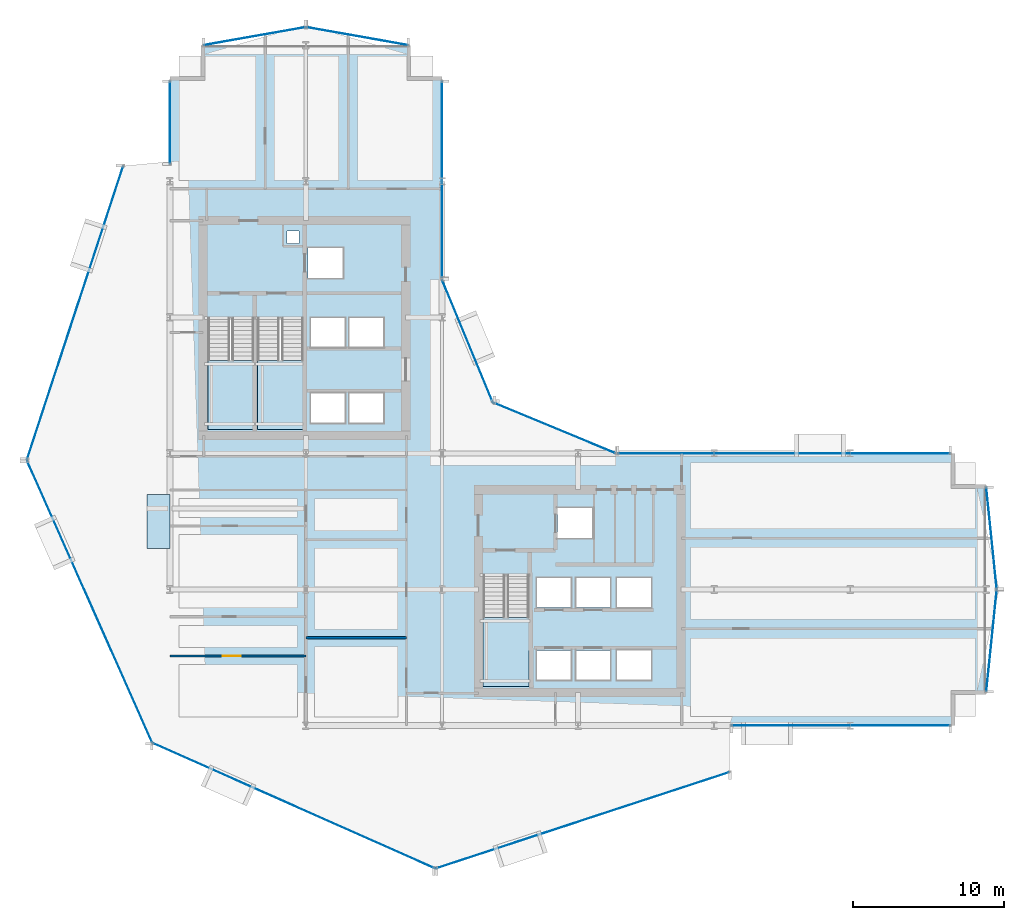
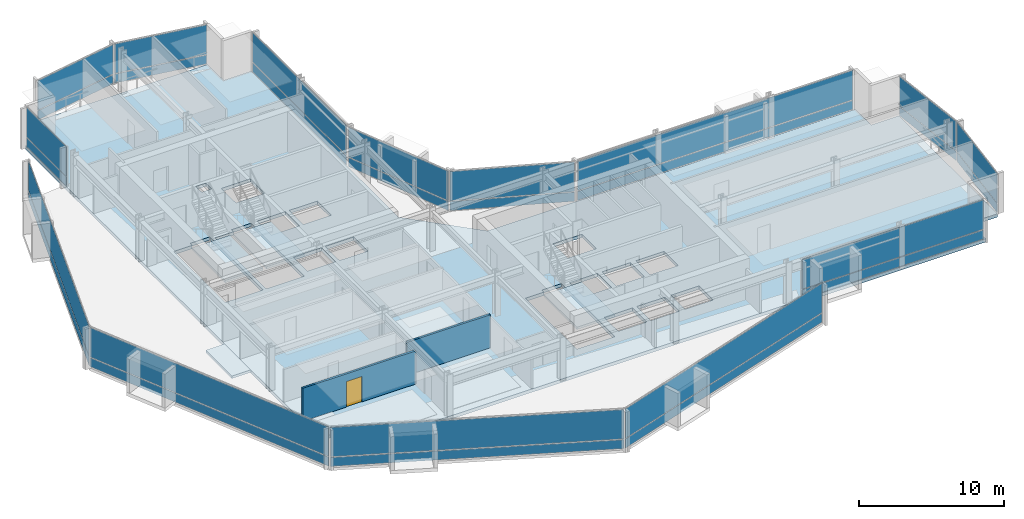
# One storey, part 26 of 34: 28 plates, 5 slabs, 2 walls, 1 door, 1 opening, 17 elements without a shape of their own.
"""IFC4 building model written with IfcOpenShell, lengths in metres."""

import ifcopenshell
import ifcopenshell.guid

model = None  # the IFC model being written
_history = None  # IfcOwnerHistory: only IFC2X3 demands one
_inside = {}  # id of a spatial element -> (the spatial element, [elements in it])
_under = {}  # id of a project, library or spatial element -> (it, [spatial elements below it])
_declared = {}  # id of a project -> (the project, [libraries it declares])
_typed = {}  # id of a type object -> (the type object, [elements of that type])
_made_of = {}  # id of a material, layer set ... -> (it, [elements and type objects made of it])


def new_model(schema):
    """Start an empty IFC model of exactly this schema.

    Asked for "IFC4X3", IfcOpenShell would pick the latest addendum, in which some entities
    have other attributes; the version numbers below select the first issue.
    IFC2X3 requires an IfcOwnerHistory on every rooted entity: one is made here for all.
    """
    global model, _history
    if schema == "IFC4X3":
        model = ifcopenshell.file(schema_version=(4, 3, 0, 0))
    else:
        model = ifcopenshell.file(schema=schema)
    _inside.clear()
    _under.clear()
    _declared.clear()
    _typed.clear()
    _made_of.clear()
    _history = None
    if model.schema == "IFC2X3":
        org = make("IfcOrganization", Name="unknown")
        user = make(
            "IfcPersonAndOrganization",
            ThePerson=make("IfcPerson", FamilyName="unknown"),
            TheOrganization=org,
        )
        app = make(
            "IfcApplication",
            ApplicationDeveloper=org,
            Version="unknown",
            ApplicationFullName="unknown",
            ApplicationIdentifier="unknown",
        )
        _history = make(
            "IfcOwnerHistory",
            OwningUser=user,
            OwningApplication=app,
            ChangeAction="ADDED",
            CreationDate=0,
        )
    return model


def make(cls, **values):
    """One entity of the class cls with the attributes given. An attribute that is None is left unset."""
    return model.create_entity(
        cls, **{name: value for name, value in values.items() if value is not None}
    )


def rooted(cls, **values):
    """An entity with a GlobalId (a new one), such as an element, a storey or a relation."""
    return make(cls, GlobalId=ifcopenshell.guid.new(), OwnerHistory=_history, **values)


def si_unit(unit_type, name, prefix=None):
    """IfcSIUnit, for example si_unit("LENGTHUNIT", "METRE", prefix="MILLI")."""
    return make("IfcSIUnit", UnitType=unit_type, Prefix=prefix, Name=name)


def assignment(units):
    """IfcUnitAssignment: the units of a project."""
    return None if units is None else make("IfcUnitAssignment", Units=units)


def point(xyz):
    """IfcCartesianPoint."""
    return None if xyz is None else make("IfcCartesianPoint", Coordinates=xyz)


def direction(xyz):
    """IfcDirection."""
    return None if xyz is None else make("IfcDirection", DirectionRatios=xyz)


def frame(location, z_axis=None, x_axis=None):
    """IfcAxis2Placement3D, a coordinate frame: its origin and axes. An axis left out is left unset."""
    return make(
        "IfcAxis2Placement3D",
        Location=point(location),
        Axis=direction(z_axis),
        RefDirection=direction(x_axis),
    )


def frame_2d(location, x_axis=None):
    """IfcAxis2Placement2D, a coordinate frame in the plane: its origin and x axis."""
    return make(
        "IfcAxis2Placement2D", Location=point(location), RefDirection=direction(x_axis)
    )


def origin():
    """The frame at (0, 0, 0) with its axes left unset."""
    return frame((0.0, 0.0, 0.0))


def origin_2d():
    """The frame at (0, 0) in the plane with its x axis left unset."""
    return frame_2d((0.0, 0.0))


def place(relative_to, where):
    """IfcLocalPlacement: puts the frame where relative to a parent placement (None: the world)."""
    return make(
        "IfcLocalPlacement", PlacementRelTo=relative_to, RelativePlacement=where
    )


def context(
    kind, dimensions, precision=None, world=None, true_north=None, identifier=None
):
    """IfcGeometricRepresentationContext, for example the 3D "Model" context."""
    return make(
        "IfcGeometricRepresentationContext",
        ContextIdentifier=identifier,
        ContextType=kind,
        CoordinateSpaceDimension=dimensions,
        Precision=precision,
        WorldCoordinateSystem=world,
        TrueNorth=true_north,
    )


def subcontext(parent, identifier, kind, view, scale=None):
    """IfcGeometricRepresentationSubContext, for example "Body" below "Model"."""
    return make(
        "IfcGeometricRepresentationSubContext",
        ContextIdentifier=identifier,
        ContextType=kind,
        ParentContext=parent,
        TargetScale=scale,
        TargetView=view,
    )


def project(units=None, contexts=None):
    """IfcProject with its units and contexts."""
    return rooted(
        "IfcProject",
        Name="project",
        RepresentationContexts=contexts,
        UnitsInContext=assignment(units),
    )


def spatial(cls, under=None, at=None, **own):
    """A site, building, storey or space (cls), placed at a placement, below another one or the project."""
    s = rooted(cls, ObjectPlacement=at, **own)
    if under is not None:
        _under.setdefault(under.id(), (under, []))[1].append(s)
    return s


def polyline(points):
    """IfcPolyline through the points."""
    return make("IfcPolyline", Points=[point(p) for p in points])


def profile(cls, at=None, kind="AREA", **sizes):
    """A parametric profile (cls). Its sizes go by their IFC names, for example OverallWidth=200.0."""
    return make(cls, ProfileType=kind, Position=at, **sizes)


def rectangle(**sizes):
    """IfcRectangleProfileDef."""
    return profile("IfcRectangleProfileDef", **sizes)


def outline(outer, holes=None, kind="AREA"):
    """IfcArbitraryClosedProfileDef: a profile drawn as a closed curve; with holes, ...WithVoids."""
    if holes is None:
        return make("IfcArbitraryClosedProfileDef", ProfileType=kind, OuterCurve=outer)
    return make(
        "IfcArbitraryProfileDefWithVoids",
        ProfileType=kind,
        OuterCurve=outer,
        InnerCurves=holes,
    )


def extrude(swept, where, along, depth):
    """IfcExtrudedAreaSolid: the profile swept, set in the frame where, extruded along a direction by depth."""
    return make(
        "IfcExtrudedAreaSolid",
        SweptArea=swept,
        Position=where,
        ExtrudedDirection=direction(along),
        Depth=depth,
    )


def shape(context_of_items, identifier, shape_type, items):
    """IfcShapeRepresentation: the items that make up one representation, for example the "Body"."""
    return make(
        "IfcShapeRepresentation",
        ContextOfItems=context_of_items,
        RepresentationIdentifier=identifier,
        RepresentationType=shape_type,
        Items=items,
    )


def material(Name=None, Category=None):
    """IfcMaterial."""
    return make("IfcMaterial", Name=Name, Category=Category)


def layer(
    of_material, thickness, ventilated=None, Name=None, Category=None, Priority=None
):
    """IfcMaterialLayer: one layer of a wall or slab, of a material (None: an air gap)."""
    return make(
        "IfcMaterialLayer",
        Material=of_material,
        LayerThickness=thickness,
        IsVentilated=ventilated,
        Name=Name,
        Category=Category,
        Priority=Priority,
    )


def layer_set(layers, Name=None):
    """IfcMaterialLayerSet."""
    return make("IfcMaterialLayerSet", MaterialLayers=layers, LayerSetName=Name)


def made_of(thing, what):
    """Note that an element or type object is made of a material, layer set ...; save() writes the relation."""
    if what is not None:
        _made_of.setdefault(what.id(), (what, []))[1].append(thing)
    return thing


def type_object(cls, material=None, **own):
    """A type object (cls), such as IfcWallType, which elements share."""
    return made_of(rooted(cls, **own), material)


def element(
    cls,
    number,
    at=None,
    inside=None,
    cuts=None,
    type_object=None,
    material=None,
    context=None,
    identifier="Body",
    shape_type=None,
    held_by="IfcProductDefinitionShape",
    body=None,
    shapes=None,
    **own,
):
    """One element of the class cls, such as IfcWall. Its Tag is "e" and its number.

    at: its placement. inside: the storey or other place that contains it. cuts: it is an
    opening in that element (IfcRelVoidsElement). A single representation is given by context,
    identifier, shape_type and body (its items); several are given by shapes. held_by: the class
    of the entity that holds the representations. save() writes the other relations.
    """
    e = rooted(cls, Tag="e%d" % number, ObjectPlacement=at, **own)
    if body is not None:
        shapes = [shape(context, identifier, shape_type, body)]
    if shapes is not None:
        e.Representation = make(held_by, Representations=shapes)
    if inside is not None:
        _inside.setdefault(inside.id(), (inside, []))[1].append(e)
    if cuts is not None:
        rooted(
            "IfcRelVoidsElement", RelatingBuildingElement=cuts, RelatedOpeningElement=e
        )
    if type_object is not None:
        _typed.setdefault(type_object.id(), (type_object, []))[1].append(e)
    return made_of(e, material)


def fill(opening, filler):
    """IfcRelFillsElement: the door or window that sits in an opening."""
    return rooted(
        "IfcRelFillsElement",
        RelatingOpeningElement=opening,
        RelatedBuildingElement=filler,
    )


def aggregate(whole, parts):
    """IfcRelAggregates: a whole, such as a stair, and the parts it consists of."""
    return rooted("IfcRelAggregates", RelatingObject=whole, RelatedObjects=parts)


def save(model, path):
    """Write the relations noted so far, then the file.

    IfcRelAggregates (storeys below a building ...), IfcRelContainedInSpatialStructure (elements
    in a storey), IfcRelDefinesByType, IfcRelAssociatesMaterial and IfcRelDeclares: one each for
    every whole, place, type object, material and project.
    """
    for whole, parts in _under.values():
        aggregate(whole, parts)
    for where, things in _inside.values():
        rooted(
            "IfcRelContainedInSpatialStructure",
            RelatedElements=things,
            RelatingStructure=where,
        )
    for kind, things in _typed.values():
        rooted("IfcRelDefinesByType", RelatedObjects=things, RelatingType=kind)
    for what, things in _made_of.values():
        rooted("IfcRelAssociatesMaterial", RelatedObjects=things, RelatingMaterial=what)
    for by, libraries in _declared.values():
        rooted("IfcRelDeclares", RelatingContext=by, RelatedDefinitions=libraries)
    model.write(path)


model = new_model("IFC4")

# Units and contexts
model_context = context("Model", 3, precision=1e-05, world=origin(), true_north=direction((0.0, 1.0)))
body_context = subcontext(model_context, "Body", "Model", "MODEL_VIEW")
ifc_project = project(units=[si_unit("LENGTHUNIT", "METRE"), si_unit("AREAUNIT", "SQUARE_METRE"), si_unit("VOLUMEUNIT", "CUBIC_METRE"), si_unit("PLANEANGLEUNIT", "RADIAN"), si_unit("MASSUNIT", "GRAM", prefix="KILO")], contexts=[model_context])

# Site, building, storey
site_placement = place(None, origin())
site = spatial("IfcSite", under=ifc_project, at=site_placement, CompositionType="ELEMENT")
building_placement = place(site_placement, origin())
building = spatial("IfcBuilding", under=site, at=building_placement, Name="Solvaryn Broadcast Tower", CompositionType="ELEMENT")
storey_placement = place(building_placement, frame((0.0, 0.0, 39.699951171875)))
storey = spatial("IfcBuildingStorey", under=building, at=storey_placement, Name="L08", CompositionType="ELEMENT", Elevation=39.699951171875)

# Curtain wall, plates
ifc_material_1 = material(Name="Aluminium and Terracotta Unitised Curtain Wall", Category="masonry")
ifc_layer_1 = layer(ifc_material_1, 0.199951171875)
ifc_layer_set_1 = layer_set([ifc_layer_1], Name="CW-SYS2-LOWMID")
curtain_wall_type = type_object("IfcCurtainWallType", Name="CW-SYS2-LOWMID", PredefinedType="NOTDEFINED", material=ifc_layer_set_1)
curtain_wall_1_placement = place(storey_placement, origin())
curtain_wall_1 = element("IfcCurtainWall", 1, at=curtain_wall_1_placement, inside=storey, type_object=curtain_wall_type, Name="L08 Curtain Wall DR1", PredefinedType="NOTDEFINED")
ifc_material_2 = material(Name="Kiln-Fired Architectural Terracotta Spandrel", Category="masonry")
ifc_layer_2 = layer(ifc_material_2, 0.048095703125)
ifc_layer_set_2 = layer_set([ifc_layer_2], Name="CW-PNL-TERRACOTTA")
plate_type = type_object("IfcPlateType", Name="CW-PNL-TERRACOTTA", PredefinedType="CURTAIN_PANEL", material=ifc_layer_set_2)
plate_1_placement = place(storey_placement, frame((2.72607421875, 36.2880859375, 0.06005859375), z_axis=(0.0, 0.0, 1.0), x_axis=(-0.311594044587, -0.950215318429, 0.0)))
plate_1 = element("IfcPlate", 2, at=plate_1_placement, type_object=plate_type, Name="CWS2 panel 1.1", PredefinedType="CURTAIN_PANEL", context=body_context, shape_type="SweptSolid", body=[
    extrude(rectangle(XDim=20.35546875, YDim=0.028076171875, at=origin_2d()), origin(), (0.0, 0.0, 1.0), 0.760009765625),
])
plate_2_placement = place(storey_placement, frame((2.72607421875, 36.2880859375, 0.880126953125), z_axis=(0.0, 0.0, 1.0), x_axis=(-0.311594044587, -0.950215318429, 0.0)))
plate_2 = element("IfcPlate", 3, at=plate_2_placement, type_object=plate_type, Name="CWS2 panel 1.2", PredefinedType="CURTAIN_PANEL", context=body_context, shape_type="SweptSolid", body=[
    extrude(rectangle(XDim=20.35546875, YDim=0.028076171875, at=origin_2d()), origin(), (0.0, 0.0, 1.0), 2.47998046875),
])
aggregate(curtain_wall_1, [plate_1, plate_2])

curtain_wall_2_placement = place(storey_placement, origin())
curtain_wall_2 = element("IfcCurtainWall", 4, at=curtain_wall_2_placement, inside=storey, type_object=curtain_wall_type, Name="L08 Curtain Wall DR2", PredefinedType="NOTDEFINED")
plate_3_placement = place(storey_placement, frame((3.69140625, 17.20361328125, 0.06005859375), z_axis=(0.0, 0.0, 1.0), x_axis=(0.405898286554, -0.913918257271, 0.0)))
plate_3 = element("IfcPlate", 5, at=plate_3_placement, type_object=plate_type, Name="CWS2 panel 1.1", PredefinedType="CURTAIN_PANEL", context=body_context, shape_type="SweptSolid", body=[
    extrude(rectangle(XDim=20.35546875, YDim=0.028076171875, at=origin_2d()), origin(), (0.0, 0.0, 1.0), 0.760009765625),
])
plate_4_placement = place(storey_placement, frame((3.69140625, 17.20361328125, 0.880126953125), z_axis=(0.0, 0.0, 1.0), x_axis=(0.405898286554, -0.913918257271, 0.0)))
plate_4 = element("IfcPlate", 6, at=plate_4_placement, type_object=plate_type, Name="CWS2 panel 1.2", PredefinedType="CURTAIN_PANEL", context=body_context, shape_type="SweptSolid", body=[
    extrude(rectangle(XDim=20.35546875, YDim=0.028076171875, at=origin_2d()), origin(), (0.0, 0.0, 1.0), 2.47998046875),
])
aggregate(curtain_wall_2, [plate_3, plate_4])

curtain_wall_3_placement = place(storey_placement, origin())
curtain_wall_3 = element("IfcCurtainWall", 7, at=curtain_wall_3_placement, inside=storey, type_object=curtain_wall_type, Name="L08 Curtain Wall DR3", PredefinedType="NOTDEFINED")
plate_5_placement = place(storey_placement, frame((17.20361328125, 3.69140625, 0.06005859375), z_axis=(0.0, 0.0, 1.0), x_axis=(0.913918257271, -0.405898286554, 0.0)))
plate_5 = element("IfcPlate", 8, at=plate_5_placement, type_object=plate_type, Name="CWS2 panel 1.1", PredefinedType="CURTAIN_PANEL", context=body_context, shape_type="SweptSolid", body=[
    extrude(rectangle(XDim=20.35546875, YDim=0.028076171875, at=origin_2d()), origin(), (0.0, 0.0, 1.0), 0.760009765625),
])
plate_6_placement = place(storey_placement, frame((17.20361328125, 3.69140625, 0.880126953125), z_axis=(0.0, 0.0, 1.0), x_axis=(0.913918257271, -0.405898286554, 0.0)))
plate_6 = element("IfcPlate", 9, at=plate_6_placement, type_object=plate_type, Name="CWS2 panel 1.2", PredefinedType="CURTAIN_PANEL", context=body_context, shape_type="SweptSolid", body=[
    extrude(rectangle(XDim=20.35546875, YDim=0.028076171875, at=origin_2d()), origin(), (0.0, 0.0, 1.0), 2.47998046875),
])
aggregate(curtain_wall_3, [plate_5, plate_6])

curtain_wall_4_placement = place(storey_placement, origin())
curtain_wall_4 = element("IfcCurtainWall", 10, at=curtain_wall_4_placement, inside=storey, type_object=curtain_wall_type, Name="L08 Curtain Wall DR4", PredefinedType="NOTDEFINED")
plate_7_placement = place(storey_placement, frame((36.2880859375, 2.72607421875, 0.06005859375), z_axis=(0.0, 0.0, 1.0), x_axis=(0.950215318429, 0.311594044587, 0.0)))
plate_7 = element("IfcPlate", 11, at=plate_7_placement, type_object=plate_type, Name="CWS2 panel 1.1", PredefinedType="CURTAIN_PANEL", context=body_context, shape_type="SweptSolid", body=[
    extrude(rectangle(XDim=20.35546875, YDim=0.028076171875, at=origin_2d()), origin(), (0.0, 0.0, 1.0), 0.760009765625),
])
plate_8_placement = place(storey_placement, frame((36.2880859375, 2.72607421875, 0.880126953125), z_axis=(0.0, 0.0, 1.0), x_axis=(0.950215318429, 0.311594044587, 0.0)))
plate_8 = element("IfcPlate", 12, at=plate_8_placement, type_object=plate_type, Name="CWS2 panel 1.2", PredefinedType="CURTAIN_PANEL", context=body_context, shape_type="SweptSolid", body=[
    extrude(rectangle(XDim=20.35546875, YDim=0.028076171875, at=origin_2d()), origin(), (0.0, 0.0, 1.0), 2.47998046875),
])
aggregate(curtain_wall_4, [plate_7, plate_8])

curtain_wall_5_placement = place(storey_placement, origin())
curtain_wall_5 = element("IfcCurtainWall", 13, at=curtain_wall_5_placement, inside=storey, type_object=curtain_wall_type, Name="L08 Curtain Wall W2", PredefinedType="NOTDEFINED")
plate_9_placement = place(storey_placement, frame((9.0, 48.883056640625, 0.06005859375), z_axis=(0.0, 0.0, 1.0), x_axis=(0.0, 1.0, 0.0)))
plate_9 = element("IfcPlate", 14, at=plate_9_placement, type_object=plate_type, Name="CWS2 panel 1.1", PredefinedType="CURTAIN_PANEL", context=body_context, shape_type="SweptSolid", body=[
    extrude(rectangle(XDim=5.4140625, YDim=0.028076171875, at=origin_2d()), origin(), (0.0, 0.0, 1.0), 0.760009765625),
])
plate_10_placement = place(storey_placement, frame((9.0, 48.883056640625, 0.880126953125), z_axis=(0.0, 0.0, 1.0), x_axis=(0.0, 1.0, 0.0)))
plate_10 = element("IfcPlate", 15, at=plate_10_placement, type_object=plate_type, Name="CWS2 panel 1.2", PredefinedType="CURTAIN_PANEL", context=body_context, shape_type="SweptSolid", body=[
    extrude(rectangle(XDim=5.4140625, YDim=0.028076171875, at=origin_2d()), origin(), (0.0, 0.0, 1.0), 2.47998046875),
])
aggregate(curtain_wall_5, [plate_9, plate_10])

curtain_wall_6_placement = place(storey_placement, origin())
curtain_wall_6 = element("IfcCurtainWall", 16, at=curtain_wall_6_placement, inside=storey, type_object=curtain_wall_type, Name="L08 Curtain Wall IV", PredefinedType="NOTDEFINED")
plate_11_placement = place(storey_placement, frame((27.0, 45.125, 0.06005859375), z_axis=(0.0, 0.0, 1.0), x_axis=(0.0, -1.0, 0.0)))
plate_11 = element("IfcPlate", 17, at=plate_11_placement, type_object=plate_type, Name="CWS2 panel 1.1", PredefinedType="CURTAIN_PANEL", context=body_context, shape_type="SweptSolid", body=[
    extrude(rectangle(XDim=12.929931640625, YDim=0.028076171875, at=origin_2d()), origin(), (0.0, 0.0, 1.0), 0.760009765625),
])
plate_12_placement = place(storey_placement, frame((27.0, 45.125, 0.880126953125), z_axis=(0.0, 0.0, 1.0), x_axis=(0.0, -1.0, 0.0)))
plate_12 = element("IfcPlate", 18, at=plate_12_placement, type_object=plate_type, Name="CWS2 panel 1.2", PredefinedType="CURTAIN_PANEL", context=body_context, shape_type="SweptSolid", body=[
    extrude(rectangle(XDim=12.929931640625, YDim=0.028076171875, at=origin_2d()), origin(), (0.0, 0.0, 1.0), 2.47998046875),
])
aggregate(curtain_wall_6, [plate_11, plate_12])

curtain_wall_7_placement = place(storey_placement, origin())
curtain_wall_7 = element("IfcCurtainWall", 19, at=curtain_wall_7_placement, inside=storey, type_object=curtain_wall_type, Name="L08 Curtain Wall CN1", PredefinedType="NOTDEFINED")
plate_13_placement = place(storey_placement, frame((34.43408203125, 28.68408203125, 0.06005859375), z_axis=(0.0, 0.0, 1.0), x_axis=(-0.923894983957, 0.382646127145, 0.0)))
plate_13 = element("IfcPlate", 20, at=plate_13_placement, type_object=plate_type, Name="CWS2 panel 1.1", PredefinedType="CURTAIN_PANEL", context=body_context, shape_type="SweptSolid", body=[
    extrude(rectangle(XDim=8.681884765625, YDim=0.028076171875, at=origin_2d()), origin(), (0.0, 0.0, 1.0), 0.760009765625),
])
plate_14_placement = place(storey_placement, frame((34.43408203125, 28.68408203125, 0.880126953125), z_axis=(0.0, 0.0, 1.0), x_axis=(-0.923894983957, 0.382646127145, 0.0)))
plate_14 = element("IfcPlate", 21, at=plate_14_placement, type_object=plate_type, Name="CWS2 panel 1.2", PredefinedType="CURTAIN_PANEL", context=body_context, shape_type="SweptSolid", body=[
    extrude(rectangle(XDim=8.681884765625, YDim=0.028076171875, at=origin_2d()), origin(), (0.0, 0.0, 1.0), 2.47998046875),
])
aggregate(curtain_wall_7, [plate_13, plate_14])

curtain_wall_8_placement = place(storey_placement, origin())
curtain_wall_8 = element("IfcCurtainWall", 22, at=curtain_wall_8_placement, inside=storey, type_object=curtain_wall_type, Name="L08 Curtain Wall CN2", PredefinedType="NOTDEFINED")
plate_15_placement = place(storey_placement, frame((28.68408203125, 34.43408203125, 0.06005859375), z_axis=(0.0, 0.0, 1.0), x_axis=(-0.382646127145, 0.923894983957, 0.0)))
plate_15 = element("IfcPlate", 23, at=plate_15_placement, type_object=plate_type, Name="CWS2 panel 1.1", PredefinedType="CURTAIN_PANEL", context=body_context, shape_type="SweptSolid", body=[
    extrude(rectangle(XDim=8.681884765625, YDim=0.028076171875, at=origin_2d()), origin(), (0.0, 0.0, 1.0), 0.760009765625),
])
plate_16_placement = place(storey_placement, frame((28.68408203125, 34.43408203125, 0.880126953125), z_axis=(0.0, 0.0, 1.0), x_axis=(-0.382646127145, 0.923894983957, 0.0)))
plate_16 = element("IfcPlate", 24, at=plate_16_placement, type_object=plate_type, Name="CWS2 panel 1.2", PredefinedType="CURTAIN_PANEL", context=body_context, shape_type="SweptSolid", body=[
    extrude(rectangle(XDim=8.681884765625, YDim=0.028076171875, at=origin_2d()), origin(), (0.0, 0.0, 1.0), 2.47998046875),
])
aggregate(curtain_wall_8, [plate_15, plate_16])

curtain_wall_9_placement = place(storey_placement, origin())
curtain_wall_9 = element("IfcCurtainWall", 25, at=curtain_wall_9_placement, inside=storey, type_object=curtain_wall_type, Name="L08 Curtain Wall S2", PredefinedType="NOTDEFINED")
plate_17_placement = place(storey_placement, frame((53.383056640625, 9.0, 0.06005859375), z_axis=(0.0, 0.0, 1.0), x_axis=(1.0, 0.0, 0.0)))
plate_17 = element("IfcPlate", 26, at=plate_17_placement, type_object=plate_type, Name="CWS2 panel 1.1", PredefinedType="CURTAIN_PANEL", context=body_context, shape_type="SweptSolid", body=[
    extrude(rectangle(XDim=14.4140625, YDim=0.028076171875, at=origin_2d()), origin(), (0.0, 0.0, 1.0), 0.760009765625),
])
plate_18_placement = place(storey_placement, frame((53.383056640625, 9.0, 0.880126953125), z_axis=(0.0, 0.0, 1.0), x_axis=(1.0, 0.0, 0.0)))
plate_18 = element("IfcPlate", 27, at=plate_18_placement, type_object=plate_type, Name="CWS2 panel 1.2", PredefinedType="CURTAIN_PANEL", context=body_context, shape_type="SweptSolid", body=[
    extrude(rectangle(XDim=14.4140625, YDim=0.028076171875, at=origin_2d()), origin(), (0.0, 0.0, 1.0), 2.47998046875),
])
aggregate(curtain_wall_9, [plate_17, plate_18])

curtain_wall_10_placement = place(storey_placement, origin())
curtain_wall_10 = element("IfcCurtainWall", 28, at=curtain_wall_10_placement, inside=storey, type_object=curtain_wall_type, Name="L08 Curtain Wall NT1", PredefinedType="NOTDEFINED")
plate_19_placement = place(storey_placement, frame((21.39990234375, 54.60009765625, 0.06005859375), z_axis=(0.0, 0.0, 1.0), x_axis=(-0.984783558819, 0.173785333901, 0.0)))
plate_19 = element("IfcPlate", 29, at=plate_19_placement, type_object=plate_type, Name="CWS2 panel 1.1", PredefinedType="CURTAIN_PANEL", context=body_context, shape_type="SweptSolid", body=[
    extrude(rectangle(XDim=6.78515625, YDim=0.028076171875, at=origin_2d()), origin(), (0.0, 0.0, 1.0), 0.760009765625),
])
plate_20_placement = place(storey_placement, frame((21.39990234375, 54.60009765625, 0.880126953125), z_axis=(0.0, 0.0, 1.0), x_axis=(-0.984783558819, 0.173785333901, 0.0)))
plate_20 = element("IfcPlate", 30, at=plate_20_placement, type_object=plate_type, Name="CWS2 panel 1.2", PredefinedType="CURTAIN_PANEL", context=body_context, shape_type="SweptSolid", body=[
    extrude(rectangle(XDim=6.78515625, YDim=0.028076171875, at=origin_2d()), origin(), (0.0, 0.0, 1.0), 2.47998046875),
])
aggregate(curtain_wall_10, [plate_19, plate_20])

curtain_wall_11_placement = place(storey_placement, origin())
curtain_wall_11 = element("IfcCurtainWall", 31, at=curtain_wall_11_placement, inside=storey, type_object=curtain_wall_type, Name="L08 Curtain Wall NT2", PredefinedType="NOTDEFINED")
plate_21_placement = place(storey_placement, frame((14.60009765625, 54.60009765625, 0.06005859375), z_axis=(0.0, 0.0, 1.0), x_axis=(-0.984783558819, -0.173785333901, 0.0)))
plate_21 = element("IfcPlate", 32, at=plate_21_placement, type_object=plate_type, Name="CWS2 panel 1.1", PredefinedType="CURTAIN_PANEL", context=body_context, shape_type="SweptSolid", body=[
    extrude(rectangle(XDim=6.78515625, YDim=0.028076171875, at=origin_2d()), origin(), (0.0, 0.0, 1.0), 0.760009765625),
])
plate_22_placement = place(storey_placement, frame((14.60009765625, 54.60009765625, 0.880126953125), z_axis=(0.0, 0.0, 1.0), x_axis=(-0.984783558819, -0.173785333901, 0.0)))
plate_22 = element("IfcPlate", 33, at=plate_22_placement, type_object=plate_type, Name="CWS2 panel 1.2", PredefinedType="CURTAIN_PANEL", context=body_context, shape_type="SweptSolid", body=[
    extrude(rectangle(XDim=6.78515625, YDim=0.028076171875, at=origin_2d()), origin(), (0.0, 0.0, 1.0), 2.47998046875),
])
aggregate(curtain_wall_11, [plate_21, plate_22])

curtain_wall_12_placement = place(storey_placement, origin())
curtain_wall_12 = element("IfcCurtainWall", 34, at=curtain_wall_12_placement, inside=storey, type_object=curtain_wall_type, Name="L08 Curtain Wall ET1", PredefinedType="NOTDEFINED")
plate_23_placement = place(storey_placement, frame((63.35009765625, 21.39990234375, 0.06005859375), z_axis=(0.0, 0.0, 1.0), x_axis=(0.10240004548, -0.99474329889, 0.0)))
plate_23 = element("IfcPlate", 35, at=plate_23_placement, type_object=plate_type, Name="CWS2 panel 1.1", PredefinedType="CURTAIN_PANEL", context=body_context, shape_type="SweptSolid", body=[
    extrude(rectangle(XDim=6.7158203125, YDim=0.028076171875, at=origin_2d()), origin(), (0.0, 0.0, 1.0), 0.760009765625),
])
plate_24_placement = place(storey_placement, frame((63.35009765625, 21.39990234375, 0.880126953125), z_axis=(0.0, 0.0, 1.0), x_axis=(0.10240004548, -0.99474329889, 0.0)))
plate_24 = element("IfcPlate", 36, at=plate_24_placement, type_object=plate_type, Name="CWS2 panel 1.2", PredefinedType="CURTAIN_PANEL", context=body_context, shape_type="SweptSolid", body=[
    extrude(rectangle(XDim=6.7158203125, YDim=0.028076171875, at=origin_2d()), origin(), (0.0, 0.0, 1.0), 2.47998046875),
])
aggregate(curtain_wall_12, [plate_23, plate_24])

curtain_wall_13_placement = place(storey_placement, origin())
curtain_wall_13 = element("IfcCurtainWall", 37, at=curtain_wall_13_placement, inside=storey, type_object=curtain_wall_type, Name="L08 Curtain Wall ET2", PredefinedType="NOTDEFINED")
plate_25_placement = place(storey_placement, frame((63.35009765625, 14.60009765625, 0.06005859375), z_axis=(0.0, 0.0, 1.0), x_axis=(-0.10240004548, -0.99474329889, 0.0)))
plate_25 = element("IfcPlate", 38, at=plate_25_placement, type_object=plate_type, Name="CWS2 panel 1.1", PredefinedType="CURTAIN_PANEL", context=body_context, shape_type="SweptSolid", body=[
    extrude(rectangle(XDim=6.7158203125, YDim=0.028076171875, at=origin_2d()), origin(), (0.0, 0.0, 1.0), 0.760009765625),
])
plate_26_placement = place(storey_placement, frame((63.35009765625, 14.60009765625, 0.880126953125), z_axis=(0.0, 0.0, 1.0), x_axis=(-0.10240004548, -0.99474329889, 0.0)))
plate_26 = element("IfcPlate", 39, at=plate_26_placement, type_object=plate_type, Name="CWS2 panel 1.2", PredefinedType="CURTAIN_PANEL", context=body_context, shape_type="SweptSolid", body=[
    extrude(rectangle(XDim=6.7158203125, YDim=0.028076171875, at=origin_2d()), origin(), (0.0, 0.0, 1.0), 2.47998046875),
])
aggregate(curtain_wall_13, [plate_25, plate_26])

curtain_wall_14_placement = place(storey_placement, origin())
curtain_wall_14 = element("IfcCurtainWall", 40, at=curtain_wall_14_placement, inside=storey, type_object=curtain_wall_type, Name="L08 Curtain Wall IH", PredefinedType="NOTDEFINED")
plate_27_placement = place(storey_placement, frame((49.625, 27.0, 0.06005859375), z_axis=(0.0, 0.0, 1.0), x_axis=(1.0, 0.0, 0.0)))
plate_27 = element("IfcPlate", 41, at=plate_27_placement, type_object=plate_type, Name="CWS2 panel 1.1", PredefinedType="CURTAIN_PANEL", context=body_context, shape_type="SweptSolid", body=[
    extrude(rectangle(XDim=21.929931640625, YDim=0.028076171875, at=origin_2d()), origin(), (0.0, 0.0, 1.0), 0.760009765625),
])
plate_28_placement = place(storey_placement, frame((49.625, 27.0, 0.880126953125), z_axis=(0.0, 0.0, 1.0), x_axis=(1.0, 0.0, 0.0)))
plate_28 = element("IfcPlate", 42, at=plate_28_placement, type_object=plate_type, Name="CWS2 panel 1.2", PredefinedType="CURTAIN_PANEL", context=body_context, shape_type="SweptSolid", body=[
    extrude(rectangle(XDim=21.929931640625, YDim=0.028076171875, at=origin_2d()), origin(), (0.0, 0.0, 1.0), 2.47998046875),
])
aggregate(curtain_wall_14, [plate_27, plate_28])

# Slab
ifc_material_3 = material(Name="Concrete f'c 60 MPa", Category="concrete")
ifc_layer_3 = layer(ifc_material_3, 0.2099609375)
ifc_layer_set_3 = layer_set([ifc_layer_3], Name="SL-BAYBOX-210")
slab_type_1 = type_object("IfcSlabType", Name="SL-BAYBOX-210", PredefinedType="FLOOR", material=ifc_layer_set_3)
slab_1_placement = place(storey_placement, frame((0.0, 0.0, -0.2099609375)))
element("IfcSlab", 43, at=slab_1_placement, inside=storey, type_object=slab_type_1, Name="L08 Projecting Bay-Box Slab 1", PredefinedType="FLOOR", context=body_context, shape_type="SweptSolid", body=[
    extrude(outline(polyline([(7.5, 20.699951171875), (9.0, 20.699951171875), (9.0, 24.300048828125), (7.5, 24.300048828125), (7.5, 20.699951171875)])), origin(), (0.0, 0.0, 1.0), 0.2099609375),
])

# Stair, slab
ifc_material_4 = material(Name="Concrete f'c 60 MPa", Category="concrete")
stair_type = type_object("IfcStairType", Name="ST-CORE", PredefinedType="HALF_TURN_STAIR", material=ifc_material_4)
stair_1_placement = place(storey_placement, origin())
stair_1 = element("IfcStair", 44, at=stair_1_placement, inside=storey, type_object=stair_type, Name="L08 ST1", PredefinedType="HALF_TURN_STAIR")
ifc_material_5 = material(Name="Concrete f'c 60 MPa", Category="concrete")
ifc_layer_4 = layer(ifc_material_5, 0.199951171875)
ifc_layer_set_4 = layer_set([ifc_layer_4], Name="SL-LANDING-200")
slab_type_2 = type_object("IfcSlabType", Name="SL-LANDING-200", PredefinedType="LANDING", material=ifc_layer_set_4)
slab_2_placement = place(storey_placement, frame((0.0, 0.0, 1.650146484375)))
slab_2 = element("IfcSlab", 45, at=slab_2_placement, type_object=slab_type_2, Name="ST1 landing 1", PredefinedType="LANDING", context=body_context, shape_type="SweptSolid", body=[
    extrude(outline(polyline([(11.52001953125, 33.159912109375), (11.52001953125, 28.60009765625), (14.550048828125, 28.60009765625), (14.550048828125, 33.159912109375), (11.52001953125, 33.159912109375)])), origin(), (0.0, 0.0, 1.0), 0.199951171875),
])
aggregate(stair_1, [slab_2])

stair_2_placement = place(storey_placement, origin())
stair_2 = element("IfcStair", 46, at=stair_2_placement, inside=storey, type_object=stair_type, Name="L08 ST2", PredefinedType="HALF_TURN_STAIR")
slab_3_placement = place(storey_placement, frame((0.0, 0.0, 1.650146484375)))
slab_3 = element("IfcSlab", 47, at=slab_3_placement, type_object=slab_type_2, Name="ST2 landing 1", PredefinedType="LANDING", context=body_context, shape_type="SweptSolid", body=[
    extrude(outline(polyline([(14.800048828125, 33.159912109375), (14.800048828125, 28.60009765625), (17.830078125, 28.60009765625), (17.830078125, 33.159912109375), (14.800048828125, 33.159912109375)])), origin(), (0.0, 0.0, 1.0), 0.199951171875),
])
aggregate(stair_2, [slab_3])

stair_3_placement = place(storey_placement, origin())
stair_3 = element("IfcStair", 48, at=stair_3_placement, inside=storey, type_object=stair_type, Name="L08 ST3", PredefinedType="HALF_TURN_STAIR")
slab_4_placement = place(storey_placement, frame((0.0, 0.0, 1.650146484375)))
slab_4 = element("IfcSlab", 49, at=slab_4_placement, type_object=slab_type_2, Name="ST3 landing 1", PredefinedType="LANDING", context=body_context, shape_type="SweptSolid", body=[
    extrude(outline(polyline([(29.719970703125, 16.159912109375), (29.719970703125, 11.60009765625), (32.75, 11.60009765625), (32.75, 16.159912109375), (29.719970703125, 16.159912109375)])), origin(), (0.0, 0.0, 1.0), 0.199951171875),
])
aggregate(stair_3, [slab_4])

# Slab
ifc_material_6 = material(Name="Concrete f'c 60 MPa", Category="concrete")
ifc_layer_5 = layer(ifc_material_6, 0.280029296875)
ifc_layer_set_5 = layer_set([ifc_layer_5], Name="SL-TWR-280")
slab_type_3 = type_object("IfcSlabType", Name="SL-TWR-280", PredefinedType="FLOOR", material=ifc_layer_set_5)
slab_5_placement = place(storey_placement, frame((0.0, 0.0, -0.280029296875)))
element("IfcSlab", 50, at=slab_5_placement, inside=storey, type_object=slab_type_3, Name="L08 Structural Floor Slab", PredefinedType="FLOOR", context=body_context, shape_type="SweptSolid", body=[
    extrude(outline(polyline([(11.199951171875, 9.0), (60.800048828125, 9.0), (60.800048828125, 11.199951171875), (63.0, 11.199951171875), (63.0, 24.800048828125), (60.800048828125, 24.800048828125), (60.800048828125, 27.0), (31.5, 27.0), (27.0, 31.5), (27.0, 51.800048828125), (24.800048828125, 51.800048828125), (24.800048828125, 54.0), (11.199951171875, 54.0), (11.199951171875, 51.800048828125), (9.0, 51.800048828125), (9.0, 11.199951171875), (11.199951171875, 11.199951171875), (11.199951171875, 9.0)]), holes=[polyline([(11.52001953125, 28.60009765625), (14.550048828125, 28.60009765625), (14.550048828125, 35.9599609375), (12.97998046875, 35.9599609375), (12.97998046875, 35.679931640625), (11.52001953125, 35.679931640625), (11.52001953125, 28.60009765625)]), polyline([(14.800048828125, 28.60009765625), (17.830078125, 28.60009765625), (17.830078125, 35.9599609375), (16.260009765625, 35.9599609375), (16.260009765625, 35.679931640625), (14.800048828125, 35.679931640625), (14.800048828125, 28.60009765625)]), polyline([(29.719970703125, 11.60009765625), (32.75, 11.60009765625), (32.75, 18.9599609375), (31.179931640625, 18.9599609375), (31.179931640625, 18.679931640625), (29.719970703125, 18.679931640625), (29.719970703125, 11.60009765625)]), polyline([(18.14990234375, 38.60009765625), (20.449951171875, 38.60009765625), (20.449951171875, 40.60009765625), (18.14990234375, 40.60009765625), (18.14990234375, 38.60009765625)]), polyline([(18.324951171875, 29.02490234375), (20.574951171875, 29.02490234375), (20.574951171875, 30.97509765625), (18.324951171875, 30.97509765625), (18.324951171875, 29.02490234375)]), polyline([(20.875, 29.02490234375), (23.125, 29.02490234375), (23.125, 30.97509765625), (20.875, 30.97509765625), (20.875, 29.02490234375)]), polyline([(18.324951171875, 34.02490234375), (20.574951171875, 34.02490234375), (20.574951171875, 35.97509765625), (18.324951171875, 35.97509765625), (18.324951171875, 34.02490234375)]), polyline([(20.875, 34.02490234375), (23.125, 34.02490234375), (23.125, 35.97509765625), (20.875, 35.97509765625), (20.875, 34.02490234375)]), polyline([(34.64990234375, 21.39990234375), (36.949951171875, 21.39990234375), (36.949951171875, 23.39990234375), (34.64990234375, 23.39990234375), (34.64990234375, 21.39990234375)]), polyline([(33.27490234375, 12.02490234375), (35.52490234375, 12.02490234375), (35.52490234375, 13.97509765625), (33.27490234375, 13.97509765625), (33.27490234375, 12.02490234375)]), polyline([(35.875, 12.02490234375), (38.125, 12.02490234375), (38.125, 13.97509765625), (35.875, 13.97509765625), (35.875, 12.02490234375)]), polyline([(33.27490234375, 16.824951171875), (35.52490234375, 16.824951171875), (35.52490234375, 18.77490234375), (33.27490234375, 18.77490234375), (33.27490234375, 16.824951171875)]), polyline([(35.875, 16.824951171875), (38.125, 16.824951171875), (38.125, 18.77490234375), (35.875, 18.77490234375), (35.875, 16.824951171875)]), polyline([(38.574951171875, 12.02490234375), (40.824951171875, 12.02490234375), (40.824951171875, 13.97509765625), (38.574951171875, 13.97509765625), (38.574951171875, 12.02490234375)]), polyline([(38.574951171875, 16.824951171875), (40.824951171875, 16.824951171875), (40.824951171875, 18.77490234375), (38.574951171875, 18.77490234375), (38.574951171875, 16.824951171875)]), polyline([(16.75, 40.89990234375), (17.550048828125, 40.89990234375), (17.550048828125, 41.699951171875), (16.75, 41.699951171875), (16.75, 40.89990234375)])]), origin(), (0.0, 0.0, 1.0), 0.280029296875),
])

# Wall
ifc_material_7 = material(Name="Metal-Stud Gypsum Office Partition")
ifc_layer_6 = layer(ifc_material_7, 0.159912109375)
ifc_layer_set_6 = layer_set([ifc_layer_6], Name="IW-PART-160")
wall_type = type_object("IfcWallType", Name="IW-PART-160", PredefinedType="PARTITIONING", material=ifc_layer_set_6)
wall_1_placement = place(storey_placement, frame((18.0, 14.800048828125, 0.0), z_axis=(0.0, 0.0, 1.0), x_axis=(1.0, 0.0, 0.0)))
element("IfcWall", 51, at=wall_1_placement, inside=storey, type_object=wall_type, Name="L08 Interior Partition IW-L08-SWE-H1", PredefinedType="PARTITIONING", context=body_context, shape_type="SweptSolid", body=[
    extrude(rectangle(XDim=6.64990234375, YDim=0.159912109375, at=frame_2d((3.324951171875, 0.0))), origin(), (0.0, 0.0, 1.0), 2.7890625),
])

# Wall, opening, door
wall_2_placement = place(storey_placement, frame((9.0, 13.60009765625, 0.0), z_axis=(0.0, 0.0, 1.0), x_axis=(1.0, 0.0, 0.0)))
wall_2 = element("IfcWall", 52, at=wall_2_placement, inside=storey, type_object=wall_type, Name="L08 Interior Partition IW-L08-SWW-H1", PredefinedType="PARTITIONING", context=body_context, shape_type="SweptSolid", body=[
    extrude(rectangle(XDim=9.0, YDim=0.159912109375, at=frame_2d((4.5, 0.0))), origin(), (0.0, 0.0, 1.0), 2.7919921875),
])
opening_placement = place(wall_2_placement, frame((3.5, 0.0, 0.0)))
opening = element("IfcOpeningElement", 53, at=opening_placement, cuts=wall_2, Name="Opening ID04", PredefinedType="OPENING", context=body_context, shape_type="SweptSolid", body=[
    extrude(rectangle(XDim=1.199951171875, YDim=2.14990234375, at=frame_2d((0.60009765625, 1.074951171875))), frame((0.0, 0.090087890625, 0.0), z_axis=(0.0, -1.0, 0.0), x_axis=(1.0, 0.0, 0.0)), (0.0, 0.0, 1.0), 0.179931640625),
])
ifc_material_8 = material(Name="Flush Acoustic Steel and Timber Door Assembly", Category="steel")
door_type = type_object("IfcDoorType", Name="ID-04-1200X2150", OperationType="NOTDEFINED", PredefinedType="DOOR", material=ifc_material_8)
door_placement = place(opening_placement, origin())
door = element("IfcDoor", 54, at=door_placement, inside=storey, type_object=door_type, Name="L08 Door DR-L08-SWW-1", OperationType="SINGLE_SWING_LEFT", OverallHeight=2.14990234375, OverallWidth=1.199951171875, PredefinedType="DOOR", context=body_context, shape_type="SweptSolid", body=[
    extrude(rectangle(XDim=1.199951171875, YDim=2.14990234375, at=frame_2d((0.60009765625, 1.074951171875))), frame((0.0, 0.02490234375, 0.0), z_axis=(0.0, -1.0, 0.0), x_axis=(1.0, 0.0, 0.0)), (0.0, 0.0, 1.0), 0.050048828125),
])
fill(opening, door)

save(model, "model.ifc")
